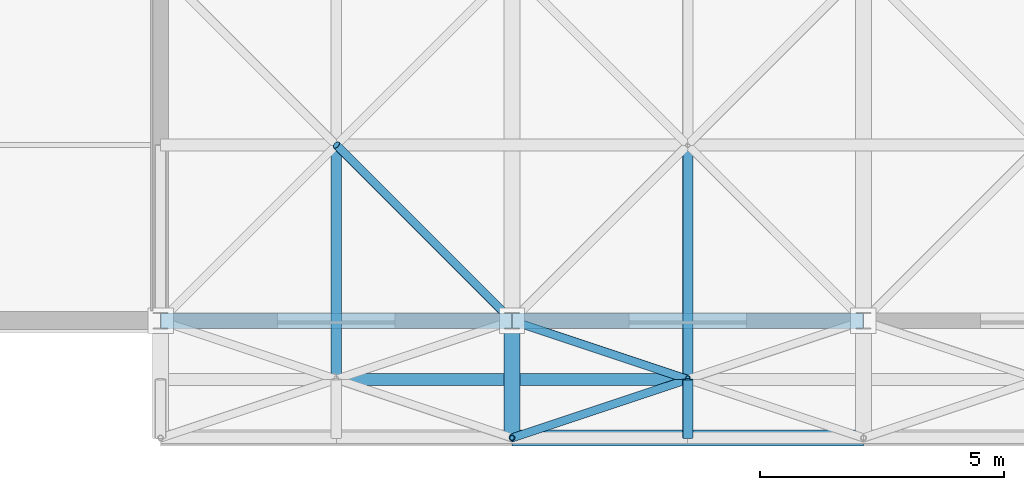
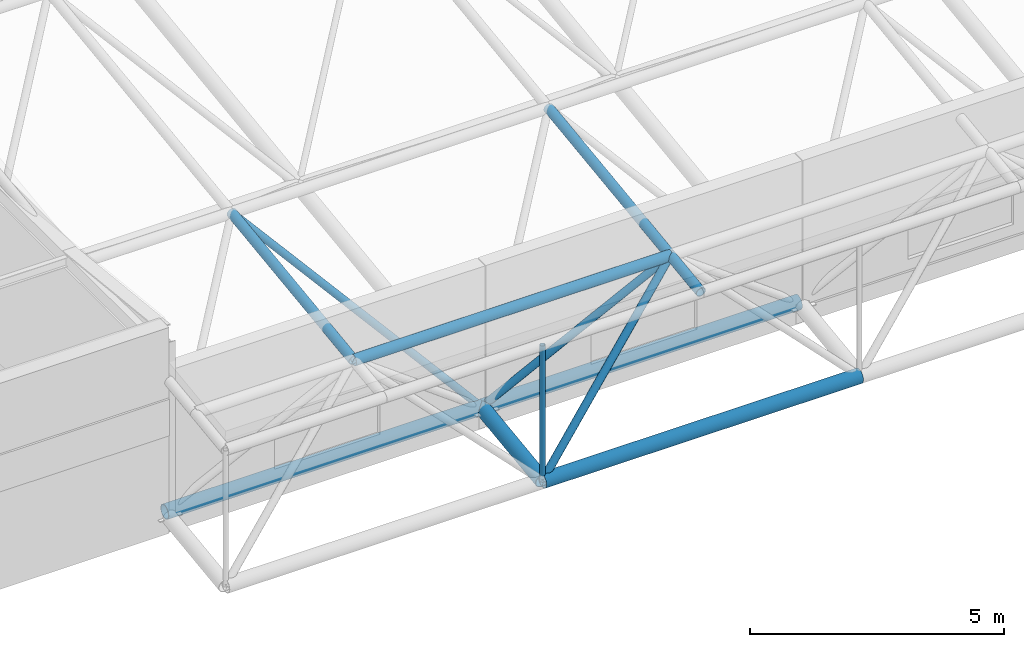
# One storey, part 31 of 103: 12 members.
"""IFC4 building model written with IfcOpenShell, lengths in metres."""

from ifc_helpers import new_model, si_unit, direction, frame, origin, origin_2d, place, context, subcontext, project, spatial, hollow_circle, extrude, material, material_profile, profile_set, type_object, element, save


model = new_model("IFC4")

# Units and contexts
model_context = context("Model", 3, precision=1e-05, world=origin(), true_north=direction((0.0, 1.0)))
body_context = subcontext(model_context, "Body", "Model", "MODEL_VIEW")
ifc_project = project(units=[si_unit("LENGTHUNIT", "METRE"), si_unit("AREAUNIT", "SQUARE_METRE"), si_unit("VOLUMEUNIT", "CUBIC_METRE"), si_unit("PLANEANGLEUNIT", "RADIAN"), si_unit("MASSUNIT", "GRAM", prefix="KILO")], contexts=[model_context])

# Site, building, storey
site_placement = place(None, origin())
site = spatial("IfcSite", under=ifc_project, at=site_placement, CompositionType="ELEMENT")
building_placement = place(site_placement, origin())
building = spatial("IfcBuilding", under=site, at=building_placement, Name="Thalmaran Polytechnic", CompositionType="ELEMENT")
storey_placement = place(building_placement, frame((0.0, 0.0, 14.39990234375)))
storey = spatial("IfcBuildingStorey", under=building, at=storey_placement, Name="L03", CompositionType="ELEMENT", Elevation=14.39990234375)

# Members
ifc_material = material(Name="Steel S355", Category="steel")
ifc_material_profile_1 = material_profile(ifc_material, hollow_circle(Radius=0.161865234375, WallThickness=0.012451171875, at=origin_2d()), Name="CHS 323.9x12.5")
ifc_profile_set_1 = profile_set([ifc_material_profile_1], Name="Steel S355")
member_type_1 = type_object("IfcMemberType", Name="MB-SFC0", PredefinedType="CHORD", material=ifc_profile_set_1)
for number, where, z_axis, x_axis, name in (
    (1, (108.0, 0.0, 0.380126953125), (1.0, 0.0, 0.0), (0.0, 1.0, 0.0), "Space-Frame Bottom Chord X (0,1)"),
    (2, (115.199951171875, 0.0, 0.380126953125), (1.0, 0.0, 0.0), (0.0, 1.0, 0.0), "Space-Frame Bottom Chord X (1,1)"),
):
    element("IfcMember", number, at=place(storey_placement, frame(where, z_axis=z_axis, x_axis=x_axis)), inside=storey, type_object=member_type_1, Name=name, PredefinedType="CHORD", context=body_context, shape_type="SweptSolid", body=[
        extrude(hollow_circle(Radius=0.161865234375, WallThickness=0.012451171875, at=origin_2d()), origin(), (0.0, 0.0, 1.0), 7.199951171875),
    ])
ifc_material_profile_2 = material_profile(ifc_material, hollow_circle(Radius=0.122314453125, WallThickness=0.010009765625, at=origin_2d()), Name="CHS 244.5x10.0")
ifc_profile_set_2 = profile_set([ifc_material_profile_2], Name="Steel S355")
member_type_2 = type_object("IfcMemberType", Name="MB-SFC1", PredefinedType="CHORD", material=ifc_profile_set_2)
member_1_placement = place(storey_placement, frame((111.60009765625, -1.199951171875, 3.4921875), z_axis=(1.0, 0.0, 0.0), x_axis=(0.0, 1.0, 0.0)))
element("IfcMember", 3, at=member_1_placement, inside=storey, type_object=member_type_2, Name="Space-Frame Top Chord X (1,1)", PredefinedType="CHORD", context=body_context, shape_type="SweptSolid", body=[
    extrude(hollow_circle(Radius=0.122314453125, WallThickness=0.010009765625, at=origin_2d()), origin(), (0.0, 0.0, 1.0), 7.199951171875),
])
ifc_material_profile_3 = material_profile(ifc_material, hollow_circle(Radius=0.109619140625, WallThickness=0.010009765625, at=origin_2d()), Name="CHS 219.1x10.0")
ifc_profile_set_3 = profile_set([ifc_material_profile_3], Name="Steel S355")
member_type_3 = type_object("IfcMemberType", Name="MB-SFC2", PredefinedType="CHORD", material=ifc_profile_set_3)
member_2_placement = place(storey_placement, frame((111.60009765625, -1.199951171875, 3.4921875), z_axis=(0.0, 0.991447600372, 0.130505385777), x_axis=(-1.0, 0.0, 0.0)))
element("IfcMember", 4, at=member_2_placement, inside=storey, type_object=member_type_3, Name="Space-Frame Top Chord Y (1,1)", PredefinedType="CHORD", context=body_context, shape_type="SweptSolid", body=[
    extrude(hollow_circle(Radius=0.109619140625, WallThickness=0.010009765625, at=origin_2d()), origin(), (0.0, 0.0, 1.0), 4.841552734375),
])
member_3_placement = place(storey_placement, frame((118.800048828125, -2.39990234375, 3.334228515625), z_axis=(0.0, 0.99144674145, 0.130511910828), x_axis=(-1.0, 0.0, 0.0)))
element("IfcMember", 5, at=member_3_placement, inside=storey, type_object=member_type_3, Name="Space-Frame Top Chord Y (2,0)", PredefinedType="CHORD", context=body_context, shape_type="SweptSolid", body=[
    extrude(hollow_circle(Radius=0.109619140625, WallThickness=0.010009765625, at=origin_2d()), origin(), (0.0, 0.0, 1.0), 1.210205078125),
])
member_4_placement = place(storey_placement, frame((118.800048828125, -1.199951171875, 3.4921875), z_axis=(0.0, 0.991447600372, 0.130505385777), x_axis=(-1.0, 0.0, 0.0)))
element("IfcMember", 6, at=member_4_placement, inside=storey, type_object=member_type_3, Name="Space-Frame Top Chord Y (2,1)", PredefinedType="CHORD", context=body_context, shape_type="SweptSolid", body=[
    extrude(hollow_circle(Radius=0.109619140625, WallThickness=0.010009765625, at=origin_2d()), origin(), (0.0, 0.0, 1.0), 4.841552734375),
])
ifc_material_profile_4 = material_profile(ifc_material, hollow_circle(Radius=0.161865234375, WallThickness=0.012451171875, at=origin_2d()), Name="CHS 323.9x12.5")
ifc_profile_set_4 = profile_set([ifc_material_profile_4], Name="Steel S355")
member_type_4 = type_object("IfcMemberType", Name="MB-SFC4", PredefinedType="CHORD", material=ifc_profile_set_4)
member_5_placement = place(storey_placement, frame((115.199951171875, -2.39990234375, 0.064208984375), z_axis=(1.0, 0.0, 0.0), x_axis=(0.0, 1.0, 0.0)))
element("IfcMember", 7, at=member_5_placement, inside=storey, type_object=member_type_4, Name="Space-Frame Bottom Chord X (1,0)", PredefinedType="CHORD", context=body_context, shape_type="SweptSolid", body=[
    extrude(hollow_circle(Radius=0.161865234375, WallThickness=0.012451171875, at=origin_2d()), origin(), (0.0, 0.0, 1.0), 7.199951171875),
])
member_6_placement = place(storey_placement, frame((115.199951171875, -2.39990234375, 0.064208984375), z_axis=(0.0, 0.99144674145, 0.130511910828), x_axis=(-1.0, 0.0, 0.0)))
element("IfcMember", 8, at=member_6_placement, inside=storey, type_object=member_type_4, Name="Space-Frame Bottom Chord Y (1,0)", PredefinedType="CHORD", context=body_context, shape_type="SweptSolid", body=[
    extrude(hollow_circle(Radius=0.161865234375, WallThickness=0.012451171875, at=origin_2d()), origin(), (0.0, 0.0, 1.0), 2.420654296875),
])
ifc_material_profile_5 = material_profile(ifc_material, hollow_circle(Radius=0.084228515625, WallThickness=0.008056640625, at=origin_2d()), Name="CHS 168.3x8.0")
ifc_profile_set_5 = profile_set([ifc_material_profile_5], Name="Steel S355")
member_type_5 = type_object("IfcMemberType", Name="MB-SFD1", PredefinedType="BRACE", material=ifc_profile_set_5)
member_7_placement = place(storey_placement, frame((115.199951171875, 0.0, 0.380126953125), z_axis=(-0.569639794751, 0.569678427494, 0.592433113089), x_axis=(-0.707130757816, -0.707082803744, 0.0)))
element("IfcMember", 9, at=member_7_placement, inside=storey, type_object=member_type_5, Name="Space-Frame Web Diagonal (0,1)-2", PredefinedType="BRACE", context=body_context, shape_type="SweptSolid", body=[
    extrude(hollow_circle(Radius=0.084228515625, WallThickness=0.008056640625, at=origin_2d()), origin(), (0.0, 0.0, 1.0), 6.319580078125),
])
member_8_placement = place(storey_placement, frame((115.199951171875, -2.39990234375, 0.064208984375), z_axis=(0.703987521352, 0.234646593479, 0.670330176815), x_axis=(-0.316208465333, 0.948689731394, 0.0)))
element("IfcMember", 10, at=member_8_placement, inside=storey, type_object=member_type_5, Name="Space-Frame Web Diagonal (1,0)-1", PredefinedType="BRACE", context=body_context, shape_type="SweptSolid", body=[
    extrude(hollow_circle(Radius=0.084228515625, WallThickness=0.008056640625, at=origin_2d()), origin(), (0.0, 0.0, 1.0), 5.11376953125),
])
member_9_placement = place(storey_placement, frame((115.199951171875, 0.0, 0.380126953125), z_axis=(0.733561258825, -0.244503837456, 0.634118090753), x_axis=(0.316208465333, 0.948689731394, 0.0)))
element("IfcMember", 11, at=member_9_placement, inside=storey, type_object=member_type_5, Name="Space-Frame Web Diagonal (1,0)-3", PredefinedType="BRACE", context=body_context, shape_type="SweptSolid", body=[
    extrude(hollow_circle(Radius=0.084228515625, WallThickness=0.008056640625, at=origin_2d()), origin(), (0.0, 0.0, 1.0), 4.90771484375),
])
ifc_material_profile_6 = material_profile(ifc_material, hollow_circle(Radius=0.05712890625, WallThickness=0.00634765625, at=origin_2d()), Name="CHS 114.3x6.3")
ifc_profile_set_6 = profile_set([ifc_material_profile_6], Name="Steel S355")
member_type_6 = type_object("IfcMemberType", Name="MB-SFD3", PredefinedType="BRACE", material=ifc_profile_set_6)
member_10_placement = place(storey_placement, frame((115.199951171875, -2.39990234375, 0.064208984375), z_axis=(0.0, 0.0, 1.0), x_axis=(1.0, 0.0, 0.0)))
element("IfcMember", 12, at=member_10_placement, inside=storey, type_object=member_type_6, Name="Space-Frame Eave Post (1,0)", PredefinedType="BRACE", context=body_context, shape_type="SweptSolid", body=[
    extrude(hollow_circle(Radius=0.05712890625, WallThickness=0.00634765625, at=origin_2d()), origin(), (0.0, 0.0, 1.0), 3.27001953125),
])

save(model, "model.ifc")
